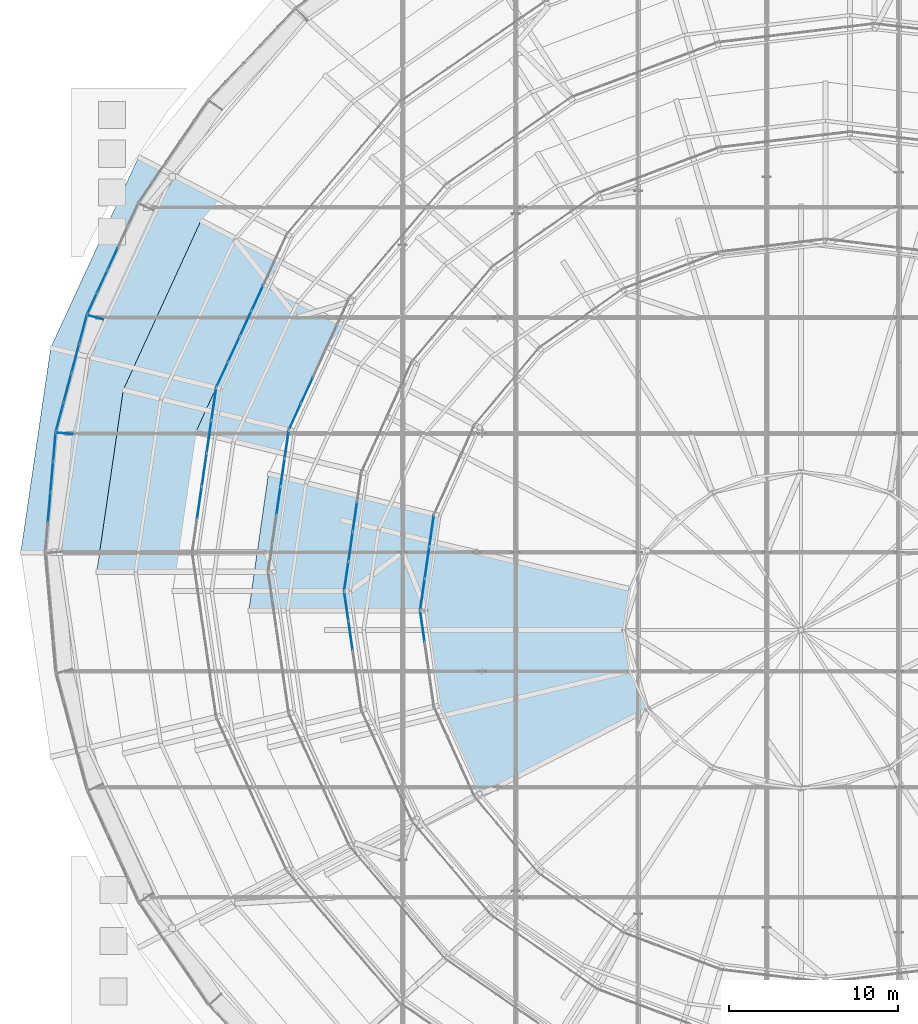
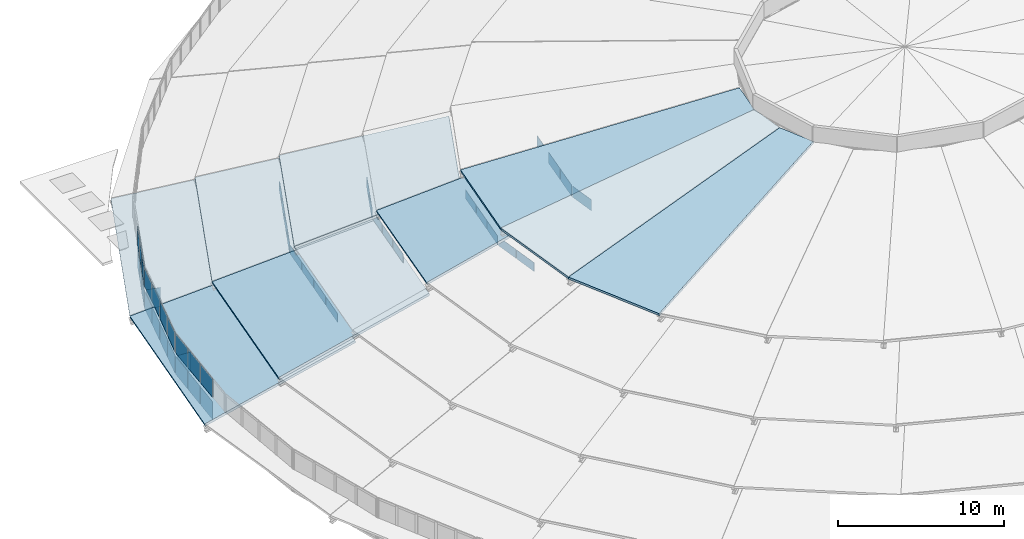
# One storey, part 147 of 173: 44 plates, 9 slabs, 16 elements without a shape of their own.
"""IFC4 building model written with IfcOpenShell, lengths in metres."""

from ifc_helpers import new_model, si_unit, direction, frame, origin, origin_2d, place, context, subcontext, project, spatial, polyline, rectangle, outline, extrude, material, layer, layer_set, type_object, element, aggregate, save


model = new_model("IFC4")

# Units and contexts
model_context = context("Model", 3, precision=1e-05, world=origin(), true_north=direction((0.0, 1.0)))
body_context = subcontext(model_context, "Body", "Model", "MODEL_VIEW")
ifc_project = project(units=[si_unit("LENGTHUNIT", "METRE"), si_unit("AREAUNIT", "SQUARE_METRE"), si_unit("VOLUMEUNIT", "CUBIC_METRE"), si_unit("PLANEANGLEUNIT", "RADIAN"), si_unit("MASSUNIT", "GRAM", prefix="KILO")], contexts=[model_context])

# Site, building, storey
site_placement = place(None, origin())
site = spatial("IfcSite", under=ifc_project, at=site_placement, CompositionType="ELEMENT")
building_placement = place(site_placement, origin())
building = spatial("IfcBuilding", under=site, at=building_placement, Name="Glasvene Arena", CompositionType="ELEMENT")
storey_placement = place(building_placement, frame((0.0, 0.0, 28.800048828125)))
storey = spatial("IfcBuildingStorey", under=building, at=storey_placement, Name="RF", CompositionType="ELEMENT", Elevation=28.800048828125)

# Curtain wall, plates
ifc_material_1 = material(Name="Low-emissivity laminated double glazing", Category="glass")
curtain_wall_type_1 = type_object("IfcCurtainWallType", Name="CW-PET1-1001x75", PredefinedType="USERDEFINED", material=ifc_material_1)
curtain_wall_1_placement = place(storey_placement, frame((55.7568359375, 91.85009765625, 0.0)))
curtain_wall_1 = element("IfcCurtainWall", 1, at=curtain_wall_1_placement, inside=storey, type_object=curtain_wall_type_1, Name="Petal ring 1-2 clerestory curtain wall 11", ObjectType="CURTAIN WALL", PredefinedType="USERDEFINED")
ifc_layer_1 = layer(ifc_material_1, 0.028076171875)
ifc_layer_set_1 = layer_set([ifc_layer_1], Name="Low-emissivity laminated double glazing")
plate_type_1 = type_object("IfcPlateType", Name="CW-GLZ-28", PredefinedType="CURTAIN_PANEL", material=ifc_layer_set_1)
plate_1_placement = place(storey_placement, frame((54.014892578125, 88.0615234375, 2.6298828125), z_axis=(0.0, 0.0, 1.0), x_axis=(-0.41776127596, -0.908556831634, 0.0)))
plate_1 = element("IfcPlate", 2, at=plate_1_placement, type_object=plate_type_1, Name="CW-082 panel 3.1", PredefinedType="CURTAIN_PANEL", context=body_context, shape_type="SweptSolid", body=[
    extrude(rectangle(XDim=1.617919921875, YDim=0.028076171875, at=origin_2d()), origin(), (0.0, 0.0, 1.0), 0.64990234375),
])
plate_2_placement = place(storey_placement, frame((53.318115234375, 86.546142578125, 2.6298828125), z_axis=(0.0, 0.0, 1.0), x_axis=(-0.41776127596, -0.908556831634, 0.0)))
plate_2 = element("IfcPlate", 3, at=plate_2_placement, type_object=plate_type_1, Name="CW-082 panel 4.1", PredefinedType="CURTAIN_PANEL", context=body_context, shape_type="SweptSolid", body=[
    extrude(rectangle(XDim=1.617919921875, YDim=0.028076171875, at=origin_2d()), origin(), (0.0, 0.0, 1.0), 0.64990234375),
])
plate_3_placement = place(storey_placement, frame((52.62109375, 85.030517578125, 2.6298828125), z_axis=(0.0, 0.0, 1.0), x_axis=(-0.41776127596, -0.908556831634, 0.0)))
plate_3 = element("IfcPlate", 4, at=plate_3_placement, type_object=plate_type_1, Name="CW-082 panel 5.1", PredefinedType="CURTAIN_PANEL", context=body_context, shape_type="SweptSolid", body=[
    extrude(rectangle(XDim=1.617919921875, YDim=0.028076171875, at=origin_2d()), origin(), (0.0, 0.0, 1.0), 0.64990234375),
])
plate_4_placement = place(storey_placement, frame((51.9296875, 83.526611328125, 2.6298828125), z_axis=(0.0, 0.0, 1.0), x_axis=(-0.41776127596, -0.908556831634, 0.0)))
plate_4 = element("IfcPlate", 5, at=plate_4_placement, type_object=plate_type_1, Name="CW-082 panel 6.1", PredefinedType="CURTAIN_PANEL", context=body_context, shape_type="SweptSolid", body=[
    extrude(rectangle(XDim=1.593017578125, YDim=0.028076171875, at=origin_2d()), origin(), (0.0, 0.0, 1.0), 0.64990234375),
])
aggregate(curtain_wall_1, [plate_1, plate_2, plate_3, plate_4])

curtain_wall_type_2 = type_object("IfcCurtainWallType", Name="CW-PET1-986x75", PredefinedType="USERDEFINED", material=ifc_material_1)
curtain_wall_2_placement = place(storey_placement, frame((51.575927734375, 82.757568359375, 0.0)))
curtain_wall_2 = element("IfcCurtainWall", 6, at=curtain_wall_2_placement, inside=storey, type_object=curtain_wall_type_2, Name="Petal ring 1-2 clerestory curtain wall 12", ObjectType="CURTAIN WALL", PredefinedType="USERDEFINED")
plate_5_placement = place(storey_placement, frame((51.431640625, 81.769287109375, 2.6298828125), z_axis=(0.0, 0.0, 1.0), x_axis=(-0.144607878249, -0.989489040641, 0.0)))
plate_5 = element("IfcPlate", 7, at=plate_5_placement, type_object=plate_type_1, Name="CW-081 panel 1.1", PredefinedType="CURTAIN_PANEL", context=body_context, shape_type="SweptSolid", body=[
    extrude(rectangle(XDim=1.897216796875, YDim=0.028076171875, at=origin_2d()), origin(), (0.0, 0.0, 1.0), 0.64990234375),
])
plate_6_placement = place(storey_placement, frame((51.148193359375, 79.830322265625, 2.6298828125), z_axis=(0.0, 0.0, 1.0), x_axis=(-0.144607878249, -0.989489040641, 0.0)))
plate_6 = element("IfcPlate", 8, at=plate_6_placement, type_object=plate_type_1, Name="CW-081 panel 2.1", PredefinedType="CURTAIN_PANEL", context=body_context, shape_type="SweptSolid", body=[
    extrude(rectangle(XDim=1.922119140625, YDim=0.028076171875, at=origin_2d()), origin(), (0.0, 0.0, 1.0), 0.64990234375),
])
plate_7_placement = place(storey_placement, frame((50.863037109375, 77.878662109375, 2.6298828125), z_axis=(0.0, 0.0, 1.0), x_axis=(-0.144607878249, -0.989489040641, 0.0)))
plate_7 = element("IfcPlate", 9, at=plate_7_placement, type_object=plate_type_1, Name="CW-081 panel 3.1", PredefinedType="CURTAIN_PANEL", context=body_context, shape_type="SweptSolid", body=[
    extrude(rectangle(XDim=1.922119140625, YDim=0.028076171875, at=origin_2d()), origin(), (0.0, 0.0, 1.0), 0.64990234375),
])
plate_8_placement = place(storey_placement, frame((50.577880859375, 75.92724609375, 2.6298828125), z_axis=(0.0, 0.0, 1.0), x_axis=(-0.144607878249, -0.989489040641, 0.0)))
plate_8 = element("IfcPlate", 10, at=plate_8_placement, type_object=plate_type_1, Name="CW-081 panel 4.1", PredefinedType="CURTAIN_PANEL", context=body_context, shape_type="SweptSolid", body=[
    extrude(rectangle(XDim=1.922119140625, YDim=0.028076171875, at=origin_2d()), origin(), (0.0, 0.0, 1.0), 0.64990234375),
])
aggregate(curtain_wall_2, [plate_5, plate_6, plate_7, plate_8])

curtain_wall_type_3 = type_object("IfcCurtainWallType", Name="CW-PET2-861x75", PredefinedType="USERDEFINED", material=ifc_material_1)
curtain_wall_3_placement = place(storey_placement, frame((59.459716796875, 88.074951171875, 0.0)))
curtain_wall_3 = element("IfcCurtainWall", 11, at=curtain_wall_3_placement, inside=storey, type_object=curtain_wall_type_3, Name="Petal ring 2-3 clerestory curtain wall 11", ObjectType="CURTAIN WALL", PredefinedType="USERDEFINED")
plate_9_placement = place(storey_placement, frame((56.94921875, 82.5966796875, 5.22998046875), z_axis=(0.0, 0.0, 1.0), x_axis=(-0.416591913749, -0.909093602111, 0.0)))
plate_9 = element("IfcPlate", 12, at=plate_9_placement, type_object=plate_type_1, Name="CW-088 panel 4.1", PredefinedType="CURTAIN_PANEL", context=body_context, shape_type="SweptSolid", body=[
    extrude(rectangle(XDim=1.671875, YDim=0.028076171875, at=origin_2d()), origin(), (0.0, 0.0, 1.0), 0.64990234375),
])
plate_10_placement = place(storey_placement, frame((56.237060546875, 81.042724609375, 5.22998046875), z_axis=(0.0, 0.0, 1.0), x_axis=(-0.416591913749, -0.909093602111, 0.0)))
plate_10 = element("IfcPlate", 13, at=plate_10_placement, type_object=plate_type_1, Name="CW-088 panel 5.1", PredefinedType="CURTAIN_PANEL", context=body_context, shape_type="SweptSolid", body=[
    extrude(rectangle(XDim=1.646728515625, YDim=0.028076171875, at=origin_2d()), origin(), (0.0, 0.0, 1.0), 0.64990234375),
])
aggregate(curtain_wall_3, [plate_9, plate_10])

curtain_wall_type_4 = type_object("IfcCurtainWallType", Name="CW-PET2-849x75", PredefinedType="USERDEFINED", material=ifc_material_1)
curtain_wall_4_placement = place(storey_placement, frame((55.873291015625, 80.248779296875, 0.0)))
curtain_wall_4 = element("IfcCurtainWall", 14, at=curtain_wall_4_placement, inside=storey, type_object=curtain_wall_type_4, Name="Petal ring 2-3 clerestory curtain wall 12", ObjectType="CURTAIN WALL", PredefinedType="USERDEFINED")
plate_11_placement = place(storey_placement, frame((55.749267578125, 79.396484375, 5.22998046875), z_axis=(0.0, 0.0, 1.0), x_axis=(-0.144132635268, -0.98955837799, 0.0)))
plate_11 = element("IfcPlate", 15, at=plate_11_placement, type_object=plate_type_1, Name="CW-087 panel 1.1", PredefinedType="CURTAIN_PANEL", context=body_context, shape_type="SweptSolid", body=[
    extrude(rectangle(XDim=1.62255859375, YDim=0.028076171875, at=origin_2d()), origin(), (0.0, 0.0, 1.0), 0.64990234375),
])
plate_12_placement = place(storey_placement, frame((55.50634765625, 77.72900390625, 5.22998046875), z_axis=(0.0, 0.0, 1.0), x_axis=(-0.144132635268, -0.98955837799, 0.0)))
plate_12 = element("IfcPlate", 16, at=plate_12_placement, type_object=plate_type_1, Name="CW-087 panel 2.1", PredefinedType="CURTAIN_PANEL", context=body_context, shape_type="SweptSolid", body=[
    extrude(rectangle(XDim=1.6474609375, YDim=0.028076171875, at=origin_2d()), origin(), (0.0, 0.0, 1.0), 0.64990234375),
])
plate_13_placement = place(storey_placement, frame((55.26171875, 76.04931640625, 5.22998046875), z_axis=(0.0, 0.0, 1.0), x_axis=(-0.144132635268, -0.98955837799, 0.0)))
plate_13 = element("IfcPlate", 17, at=plate_13_placement, type_object=plate_type_1, Name="CW-087 panel 3.1", PredefinedType="CURTAIN_PANEL", context=body_context, shape_type="SweptSolid", body=[
    extrude(rectangle(XDim=1.6474609375, YDim=0.028076171875, at=origin_2d()), origin(), (0.0, 0.0, 1.0), 0.64990234375),
])
aggregate(curtain_wall_4, [plate_11, plate_12, plate_13])

curtain_wall_type_5 = type_object("IfcCurtainWallType", Name="CW-PET3-711x75", PredefinedType="USERDEFINED", material=ifc_material_1)
curtain_wall_5_placement = place(storey_placement, frame((60.17041015625, 77.739990234375, 0.0)))
curtain_wall_5 = element("IfcCurtainWall", 18, at=curtain_wall_5_placement, inside=storey, type_object=curtain_wall_type_5, Name="Petal ring 3-4 clerestory curtain wall 12", ObjectType="CURTAIN WALL", PredefinedType="USERDEFINED")
plate_14_placement = place(storey_placement, frame((59.787841796875, 75.099853515625, 7.8798828125), z_axis=(0.0, 0.0, 1.0), x_axis=(-0.143460001758, -0.989656115979, 0.0)))
plate_14 = element("IfcPlate", 19, at=plate_14_placement, type_object=plate_type_1, Name="CW-093 panel 2.1", PredefinedType="CURTAIN_PANEL", context=body_context, shape_type="SweptSolid", body=[
    extrude(rectangle(XDim=1.728271484375, YDim=0.028076171875, at=origin_2d()), origin(), (0.0, 0.0, 1.0), 0.64990234375),
])
plate_15_placement = place(storey_placement, frame((59.53271484375, 73.33984375, 7.8798828125), z_axis=(0.0, 0.0, 1.0), x_axis=(-0.143460001758, -0.989656115979, 0.0)))
plate_15 = element("IfcPlate", 20, at=plate_15_placement, type_object=plate_type_1, Name="CW-093 panel 3.1", PredefinedType="CURTAIN_PANEL", context=body_context, shape_type="SweptSolid", body=[
    extrude(rectangle(XDim=1.728271484375, YDim=0.028076171875, at=origin_2d()), origin(), (0.0, 0.0, 1.0), 0.64990234375),
])
plate_16_placement = place(storey_placement, frame((59.279296875, 71.59228515625, 7.8798828125), z_axis=(0.0, 0.0, 1.0), x_axis=(-0.143460001758, -0.989656115979, 0.0)))
plate_16 = element("IfcPlate", 21, at=plate_16_placement, type_object=plate_type_1, Name="CW-093 panel 4.1", PredefinedType="CURTAIN_PANEL", context=body_context, shape_type="SweptSolid", body=[
    extrude(rectangle(XDim=1.703369140625, YDim=0.028076171875, at=origin_2d()), origin(), (0.0, 0.0, 1.0), 0.64990234375),
])
aggregate(curtain_wall_5, [plate_14, plate_15, plate_16])

curtain_wall_6_placement = place(storey_placement, frame((59.14990234375, 70.699951171875, 0.0)))
curtain_wall_6 = element("IfcCurtainWall", 22, at=curtain_wall_6_placement, inside=storey, type_object=curtain_wall_type_5, Name="Petal ring 3-4 clerestory curtain wall 13", ObjectType="CURTAIN WALL", PredefinedType="USERDEFINED")
plate_17_placement = place(storey_placement, frame((59.279296875, 69.8076171875, 7.8798828125), z_axis=(0.0, 0.0, 1.0), x_axis=(0.143460001758, -0.989656115979, 0.0)))
plate_17 = element("IfcPlate", 23, at=plate_17_placement, type_object=plate_type_1, Name="CW-093 panel 1.1", PredefinedType="CURTAIN_PANEL", context=body_context, shape_type="SweptSolid", body=[
    extrude(rectangle(XDim=1.703369140625, YDim=0.028076171875, at=origin_2d()), origin(), (0.0, 0.0, 1.0), 0.64990234375),
])
plate_18_placement = place(storey_placement, frame((59.53271484375, 68.06005859375, 7.8798828125), z_axis=(0.0, 0.0, 1.0), x_axis=(0.143460001758, -0.989656115979, 0.0)))
plate_18 = element("IfcPlate", 24, at=plate_18_placement, type_object=plate_type_1, Name="CW-093 panel 2.1", PredefinedType="CURTAIN_PANEL", context=body_context, shape_type="SweptSolid", body=[
    extrude(rectangle(XDim=1.728271484375, YDim=0.028076171875, at=origin_2d()), origin(), (0.0, 0.0, 1.0), 0.64990234375),
])
aggregate(curtain_wall_6, [plate_17, plate_18])

curtain_wall_type_6 = type_object("IfcCurtainWallType", Name="CW-PET4-575x92", PredefinedType="USERDEFINED", material=ifc_material_1)
curtain_wall_7_placement = place(storey_placement, frame((64.4677734375, 75.243896484375, 0.0)))
curtain_wall_7 = element("IfcCurtainWall", 25, at=curtain_wall_7_placement, inside=storey, type_object=curtain_wall_type_6, Name="Petal ring 4-5 clerestory curtain wall 12", ObjectType="CURTAIN WALL", PredefinedType="USERDEFINED")
plate_19_placement = place(storey_placement, frame((64.329833984375, 74.28271484375, 10.580078125), z_axis=(0.0, 0.0, 1.0), x_axis=(-0.142166045165, -0.989842823686, 0.0)))
plate_19 = element("IfcPlate", 26, at=plate_19_placement, type_object=plate_type_1, Name="CW-099 panel 1.1", PredefinedType="CURTAIN_PANEL", context=body_context, shape_type="SweptSolid", body=[
    extrude(rectangle(XDim=1.842529296875, YDim=0.028076171875, at=origin_2d()), origin(), (0.0, 0.0, 1.0), 0.81591796875),
])
plate_20_placement = place(storey_placement, frame((64.058837890625, 72.39697265625, 10.580078125), z_axis=(0.0, 0.0, 1.0), x_axis=(-0.142166045165, -0.989842823686, 0.0)))
plate_20 = element("IfcPlate", 27, at=plate_20_placement, type_object=plate_type_1, Name="CW-099 panel 2.1", PredefinedType="CURTAIN_PANEL", context=body_context, shape_type="SweptSolid", body=[
    extrude(rectangle(XDim=1.867431640625, YDim=0.028076171875, at=origin_2d()), origin(), (0.0, 0.0, 1.0), 0.81591796875),
])
plate_21_placement = place(storey_placement, frame((63.7880859375, 70.511474609375, 10.580078125), z_axis=(0.0, 0.0, 1.0), x_axis=(-0.142166045165, -0.989842823686, 0.0)))
plate_21 = element("IfcPlate", 28, at=plate_21_placement, type_object=plate_type_1, Name="CW-099 panel 3.1", PredefinedType="CURTAIN_PANEL", context=body_context, shape_type="SweptSolid", body=[
    extrude(rectangle(XDim=1.842529296875, YDim=0.028076171875, at=origin_2d()), origin(), (0.0, 0.0, 1.0), 0.81591796875),
])
aggregate(curtain_wall_7, [plate_19, plate_20, plate_21])

# Curtain wall, plate
curtain_wall_8_placement = place(storey_placement, frame((63.64990234375, 69.550048828125, 0.0)))
curtain_wall_8 = element("IfcCurtainWall", 29, at=curtain_wall_8_placement, inside=storey, type_object=curtain_wall_type_6, Name="Petal ring 4-5 clerestory curtain wall 13", ObjectType="CURTAIN WALL", PredefinedType="USERDEFINED")
plate_22_placement = place(storey_placement, frame((63.7880859375, 68.588623046875, 10.580078125), z_axis=(0.0, 0.0, 1.0), x_axis=(0.142166045165, -0.989842823686, 0.0)))
plate_22 = element("IfcPlate", 30, at=plate_22_placement, type_object=plate_type_1, Name="CW-099 panel 1.1", PredefinedType="CURTAIN_PANEL", context=body_context, shape_type="SweptSolid", body=[
    extrude(rectangle(XDim=1.842529296875, YDim=0.028076171875, at=origin_2d()), origin(), (0.0, 0.0, 1.0), 0.81591796875),
])
aggregate(curtain_wall_8, [plate_22])

# Curtain wall, plates
curtain_wall_type_7 = type_object("IfcCurtainWallType", Name="CW-DRUM-727x310", PredefinedType="USERDEFINED", material=ifc_material_1)
curtain_wall_9_placement = place(storey_placement, frame((46.959716796875, 93.67919921875, 0.0)))
curtain_wall_9 = element("IfcCurtainWall", 31, at=curtain_wall_9_placement, inside=storey, type_object=curtain_wall_type_7, Name="Crown compression-ring fascia curtain wall 18", ObjectType="CURTAIN WALL", PredefinedType="USERDEFINED")
ifc_material_2 = material(Name="Insulated shadow-box spandrel panel")
ifc_layer_2 = layer(ifc_material_2, 0.02392578125)
ifc_layer_set_2 = layer_set([ifc_layer_2], Name="Insulated shadow-box spandrel panel")
plate_type_2 = type_object("IfcPlateType", Name="CW-SPN-24", PredefinedType="CURTAIN_PANEL", material=ifc_layer_set_2)
plate_23_placement = place(storey_placement, frame((45.44189453125, 90.37744140625, -1.330078125), z_axis=(0.0, 0.0, 1.0), x_axis=(-0.417660752738, -0.908603046232, 0.0)))
plate_23 = element("IfcPlate", 32, at=plate_23_placement, type_object=plate_type_2, Name="CW-073 panel 3.1", PredefinedType="CURTAIN_PANEL", context=body_context, shape_type="SweptSolid", body=[
    extrude(rectangle(XDim=1.403564453125, YDim=0.02392578125, at=origin_2d()), origin(), (0.0, 0.0, 1.0), 1.324951171875),
])
plate_24_placement = place(storey_placement, frame((45.44189453125, 90.37744140625, 0.044921875), z_axis=(0.0, 0.0, 1.0), x_axis=(-0.417660752738, -0.908603046232, 0.0)))
plate_24 = element("IfcPlate", 33, at=plate_24_placement, type_object=plate_type_2, Name="CW-073 panel 3.2", PredefinedType="CURTAIN_PANEL", context=body_context, shape_type="SweptSolid", body=[
    extrude(rectangle(XDim=1.403564453125, YDim=0.02392578125, at=origin_2d()), origin(), (0.0, 0.0, 1.0), 1.625),
])
plate_25_placement = place(storey_placement, frame((44.834716796875, 89.056884765625, -1.330078125), z_axis=(0.0, 0.0, 1.0), x_axis=(-0.417660752738, -0.908603046232, 0.0)))
plate_25 = element("IfcPlate", 34, at=plate_25_placement, type_object=plate_type_2, Name="CW-073 panel 4.1", PredefinedType="CURTAIN_PANEL", context=body_context, shape_type="SweptSolid", body=[
    extrude(rectangle(XDim=1.403564453125, YDim=0.02392578125, at=origin_2d()), origin(), (0.0, 0.0, 1.0), 1.324951171875),
])
plate_26_placement = place(storey_placement, frame((44.834716796875, 89.056884765625, 0.044921875), z_axis=(0.0, 0.0, 1.0), x_axis=(-0.417660752738, -0.908603046232, 0.0)))
plate_26 = element("IfcPlate", 35, at=plate_26_placement, type_object=plate_type_2, Name="CW-073 panel 4.2", PredefinedType="CURTAIN_PANEL", context=body_context, shape_type="SweptSolid", body=[
    extrude(rectangle(XDim=1.403564453125, YDim=0.02392578125, at=origin_2d()), origin(), (0.0, 0.0, 1.0), 1.625),
])
plate_27_placement = place(storey_placement, frame((44.23291015625, 87.747314453125, -1.330078125), z_axis=(0.0, 0.0, 1.0), x_axis=(-0.417660752738, -0.908603046232, 0.0)))
plate_27 = element("IfcPlate", 36, at=plate_27_placement, type_object=plate_type_2, Name="CW-073 panel 5.1", PredefinedType="CURTAIN_PANEL", context=body_context, shape_type="SweptSolid", body=[
    extrude(rectangle(XDim=1.378662109375, YDim=0.02392578125, at=origin_2d()), origin(), (0.0, 0.0, 1.0), 1.324951171875),
])
plate_28_placement = place(storey_placement, frame((44.23291015625, 87.747314453125, 0.044921875), z_axis=(0.0, 0.0, 1.0), x_axis=(-0.417660752738, -0.908603046232, 0.0)))
plate_28 = element("IfcPlate", 37, at=plate_28_placement, type_object=plate_type_2, Name="CW-073 panel 5.2", PredefinedType="CURTAIN_PANEL", context=body_context, shape_type="SweptSolid", body=[
    extrude(rectangle(XDim=1.378662109375, YDim=0.02392578125, at=origin_2d()), origin(), (0.0, 0.0, 1.0), 1.625),
])
aggregate(curtain_wall_9, [plate_23, plate_24, plate_25, plate_26, plate_27, plate_28])

curtain_wall_type_8 = type_object("IfcCurtainWallType", Name="CW-DRUM-719x310", PredefinedType="USERDEFINED", material=ifc_material_1)
curtain_wall_10_placement = place(storey_placement, frame((43.924072265625, 87.07568359375, 0.0)))
curtain_wall_10 = element("IfcCurtainWall", 38, at=curtain_wall_10_placement, inside=storey, type_object=curtain_wall_type_8, Name="Crown compression-ring fascia curtain wall 19", ObjectType="CURTAIN WALL", PredefinedType="USERDEFINED")
plate_29_placement = place(storey_placement, frame((43.689453125, 86.19482421875, -1.330078125), z_axis=(0.0, 0.0, 1.0), x_axis=(-0.257447172039, -0.966292374807, 0.0)))
plate_29 = element("IfcPlate", 39, at=plate_29_placement, type_object=plate_type_2, Name="CW-072 panel 1.1", PredefinedType="CURTAIN_PANEL", context=body_context, shape_type="SweptSolid", body=[
    extrude(rectangle(XDim=1.72314453125, YDim=0.02392578125, at=origin_2d()), origin(), (0.0, 0.0, 1.0), 1.324951171875),
])
plate_30_placement = place(storey_placement, frame((43.689453125, 86.19482421875, 0.044921875), z_axis=(0.0, 0.0, 1.0), x_axis=(-0.257447172039, -0.966292374807, 0.0)))
plate_30 = element("IfcPlate", 40, at=plate_30_placement, type_object=plate_type_2, Name="CW-072 panel 1.2", PredefinedType="CURTAIN_PANEL", context=body_context, shape_type="SweptSolid", body=[
    extrude(rectangle(XDim=1.72314453125, YDim=0.02392578125, at=origin_2d()), origin(), (0.0, 0.0, 1.0), 1.625),
])
plate_31_placement = place(storey_placement, frame((43.229736328125, 84.469482421875, -1.330078125), z_axis=(0.0, 0.0, 1.0), x_axis=(-0.257447172039, -0.966292374807, 0.0)))
plate_31 = element("IfcPlate", 41, at=plate_31_placement, type_object=plate_type_2, Name="CW-072 panel 2.1", PredefinedType="CURTAIN_PANEL", context=body_context, shape_type="SweptSolid", body=[
    extrude(rectangle(XDim=1.748046875, YDim=0.02392578125, at=origin_2d()), origin(), (0.0, 0.0, 1.0), 1.324951171875),
])
plate_32_placement = place(storey_placement, frame((43.229736328125, 84.469482421875, 0.044921875), z_axis=(0.0, 0.0, 1.0), x_axis=(-0.257447172039, -0.966292374807, 0.0)))
plate_32 = element("IfcPlate", 42, at=plate_32_placement, type_object=plate_type_2, Name="CW-072 panel 2.2", PredefinedType="CURTAIN_PANEL", context=body_context, shape_type="SweptSolid", body=[
    extrude(rectangle(XDim=1.748046875, YDim=0.02392578125, at=origin_2d()), origin(), (0.0, 0.0, 1.0), 1.625),
])
plate_33_placement = place(storey_placement, frame((42.766845703125, 82.73193359375, -1.330078125), z_axis=(0.0, 0.0, 1.0), x_axis=(-0.257447172039, -0.966292374807, 0.0)))
plate_33 = element("IfcPlate", 43, at=plate_33_placement, type_object=plate_type_2, Name="CW-072 panel 3.1", PredefinedType="CURTAIN_PANEL", context=body_context, shape_type="SweptSolid", body=[
    extrude(rectangle(XDim=1.748046875, YDim=0.02392578125, at=origin_2d()), origin(), (0.0, 0.0, 1.0), 1.324951171875),
])
plate_34_placement = place(storey_placement, frame((42.766845703125, 82.73193359375, 0.044921875), z_axis=(0.0, 0.0, 1.0), x_axis=(-0.257447172039, -0.966292374807, 0.0)))
plate_34 = element("IfcPlate", 44, at=plate_34_placement, type_object=plate_type_2, Name="CW-072 panel 3.2", PredefinedType="CURTAIN_PANEL", context=body_context, shape_type="SweptSolid", body=[
    extrude(rectangle(XDim=1.748046875, YDim=0.02392578125, at=origin_2d()), origin(), (0.0, 0.0, 1.0), 1.625),
])
plate_35_placement = place(storey_placement, frame((42.30712890625, 81.00634765625, -1.330078125), z_axis=(0.0, 0.0, 1.0), x_axis=(-0.257447172039, -0.966292374807, 0.0)))
plate_35 = element("IfcPlate", 45, at=plate_35_placement, type_object=plate_type_2, Name="CW-072 panel 4.1", PredefinedType="CURTAIN_PANEL", context=body_context, shape_type="SweptSolid", body=[
    extrude(rectangle(XDim=1.72314453125, YDim=0.02392578125, at=origin_2d()), origin(), (0.0, 0.0, 1.0), 1.324951171875),
])
plate_36_placement = place(storey_placement, frame((42.30712890625, 81.00634765625, 0.044921875), z_axis=(0.0, 0.0, 1.0), x_axis=(-0.257447172039, -0.966292374807, 0.0)))
plate_36 = element("IfcPlate", 46, at=plate_36_placement, type_object=plate_type_2, Name="CW-072 panel 4.2", PredefinedType="CURTAIN_PANEL", context=body_context, shape_type="SweptSolid", body=[
    extrude(rectangle(XDim=1.72314453125, YDim=0.02392578125, at=origin_2d()), origin(), (0.0, 0.0, 1.0), 1.625),
])
aggregate(curtain_wall_10, [plate_29, plate_30, plate_31, plate_32, plate_33, plate_34, plate_35, plate_36])

curtain_wall_type_9 = type_object("IfcCurtainWallType", Name="CW-DRUM-715x310", PredefinedType="USERDEFINED", material=ifc_material_1)
curtain_wall_11_placement = place(storey_placement, frame((42.072509765625, 80.12548828125, 0.0)))
curtain_wall_11 = element("IfcCurtainWall", 47, at=curtain_wall_11_placement, inside=storey, type_object=curtain_wall_type_9, Name="Crown compression-ring fascia curtain wall 20", ObjectType="CURTAIN WALL", PredefinedType="USERDEFINED")
plate_37_placement = place(storey_placement, frame((41.993408203125, 79.222412109375, -1.330078125), z_axis=(0.0, 0.0, 1.0), x_axis=(-0.0870157178, -0.996206938771, 0.0)))
plate_37 = element("IfcPlate", 48, at=plate_37_placement, type_object=plate_type_2, Name="CW-071 panel 1.1", PredefinedType="CURTAIN_PANEL", context=body_context, shape_type="SweptSolid", body=[
    extrude(rectangle(XDim=1.713134765625, YDim=0.02392578125, at=origin_2d()), origin(), (0.0, 0.0, 1.0), 1.324951171875),
])
plate_38_placement = place(storey_placement, frame((41.993408203125, 79.222412109375, 0.044921875), z_axis=(0.0, 0.0, 1.0), x_axis=(-0.0870157178, -0.996206938771, 0.0)))
plate_38 = element("IfcPlate", 49, at=plate_38_placement, type_object=plate_type_2, Name="CW-071 panel 1.2", PredefinedType="CURTAIN_PANEL", context=body_context, shape_type="SweptSolid", body=[
    extrude(rectangle(XDim=1.713134765625, YDim=0.02392578125, at=origin_2d()), origin(), (0.0, 0.0, 1.0), 1.625),
])
plate_39_placement = place(storey_placement, frame((41.839111328125, 77.45361328125, -1.330078125), z_axis=(0.0, 0.0, 1.0), x_axis=(-0.0870157178, -0.996206938771, 0.0)))
plate_39 = element("IfcPlate", 50, at=plate_39_placement, type_object=plate_type_2, Name="CW-071 panel 2.1", PredefinedType="CURTAIN_PANEL", context=body_context, shape_type="SweptSolid", body=[
    extrude(rectangle(XDim=1.73828125, YDim=0.02392578125, at=origin_2d()), origin(), (0.0, 0.0, 1.0), 1.324951171875),
])
plate_40_placement = place(storey_placement, frame((41.839111328125, 77.45361328125, 0.044921875), z_axis=(0.0, 0.0, 1.0), x_axis=(-0.0870157178, -0.996206938771, 0.0)))
plate_40 = element("IfcPlate", 51, at=plate_40_placement, type_object=plate_type_2, Name="CW-071 panel 2.2", PredefinedType="CURTAIN_PANEL", context=body_context, shape_type="SweptSolid", body=[
    extrude(rectangle(XDim=1.73828125, YDim=0.02392578125, at=origin_2d()), origin(), (0.0, 0.0, 1.0), 1.625),
])
plate_41_placement = place(storey_placement, frame((41.683349609375, 75.672119140625, -1.330078125), z_axis=(0.0, 0.0, 1.0), x_axis=(-0.0870157178, -0.996206938771, 0.0)))
plate_41 = element("IfcPlate", 52, at=plate_41_placement, type_object=plate_type_2, Name="CW-071 panel 3.1", PredefinedType="CURTAIN_PANEL", context=body_context, shape_type="SweptSolid", body=[
    extrude(rectangle(XDim=1.73828125, YDim=0.02392578125, at=origin_2d()), origin(), (0.0, 0.0, 1.0), 1.324951171875),
])
plate_42_placement = place(storey_placement, frame((41.683349609375, 75.672119140625, 0.044921875), z_axis=(0.0, 0.0, 1.0), x_axis=(-0.0870157178, -0.996206938771, 0.0)))
plate_42 = element("IfcPlate", 53, at=plate_42_placement, type_object=plate_type_2, Name="CW-071 panel 3.2", PredefinedType="CURTAIN_PANEL", context=body_context, shape_type="SweptSolid", body=[
    extrude(rectangle(XDim=1.73828125, YDim=0.02392578125, at=origin_2d()), origin(), (0.0, 0.0, 1.0), 1.625),
])
aggregate(curtain_wall_11, [plate_37, plate_38, plate_39, plate_40, plate_41, plate_42])

# Plates
ifc_material_3 = material(Name="Steel S355J2", Category="steel")
ifc_layer_3 = layer(ifc_material_3, 0.035888671875)
ifc_layer_set_3 = layer_set([ifc_layer_3], Name="Steel S355J2")
plate_type_3 = type_object("IfcPlateType", Name="PL-CAP-36", PredefinedType="SHEET", material=ifc_layer_set_3)
for number, where, z_axis, x_axis, name in (
    (54, (44.447265625, 86.90576171875, -1.409912109375), (0.0, 0.0, 1.0), (-0.257807388214, -0.966196331282, 0.0), "Ring beam node diaphragm cap plate ND-19"),
    (55, (42.615478515625, 80.03955078125, -1.409912109375), (0.0, 0.0, 1.0), (-0.087155742748, -0.996194698092, 0.0), "Ring beam node diaphragm cap plate ND-20"),
):
    element("IfcPlate", number, at=place(storey_placement, frame(where, z_axis=z_axis, x_axis=x_axis)), inside=storey, type_object=plate_type_3, Name=name, PredefinedType="SHEET", context=body_context, shape_type="SweptSolid", body=[
        extrude(rectangle(XDim=0.035888671875, YDim=0.919921875, at=origin_2d()), origin(), (0.0, 0.0, 1.0), 1.419921875),
    ])

# Roof, slabs
ifc_material_4 = material(Name="Smooth matte white insulated roof panel")
ifc_layer_4 = layer(ifc_material_4, 0.179931640625)
ifc_layer_set_4 = layer_set([ifc_layer_4], Name="Smooth matte white insulated roof panel")
roof_type = type_object("IfcRoofType", Name="RF-PETAL-ASSY", PredefinedType="PAVILION_ROOF", material=ifc_layer_set_4)
roof_1_placement = place(storey_placement, frame((92.0, 73.0, 0.0)))
roof_1 = element("IfcRoof", 56, at=roof_1_placement, inside=storey, type_object=roof_type, Name="Shifted white elliptical petal roof ring 1", PredefinedType="PAVILION_ROOF")
ifc_material_5 = material(Name="Precast concrete C50/60", Category="concrete")
ifc_layer_5 = layer(ifc_material_5, 0.179931640625)
ifc_layer_set_5 = layer_set([ifc_layer_5], Name="Precast concrete C50/60")
slab_type = type_object("IfcSlabType", Name="SL-PETAL-180", PredefinedType="ROOF", material=ifc_layer_set_5)
slab_1_placement = place(storey_placement, frame((46.966796875, 96.39990234375, 0.0), z_axis=(-0.21553515257, 0.099199737003, 0.971444290829), x_axis=(-0.418088722447, -0.908406197778, 8.64003e-07)))
slab_1 = element("IfcSlab", 57, at=slab_1_placement, type_object=slab_type, Name="White petal roof slab ring 1 bay 11", PredefinedType="ROOF", context=body_context, shape_type="SweptSolid", body=[
    extrude(outline(polyline([(0.0, 0.0), (12.425177532204613, 0.0), (10.406666894711167, 10.536581165941051), (0.4902982023239435, 10.53666252199784), (0.0, 0.0)])), origin(), (0.0, 0.0, -1.0), 0.179931640625),
])
slab_2_placement = place(storey_placement, frame((41.77197265625, 85.11279296875, 0.0), z_axis=(-0.231489028727, 0.033863152392, 0.972247970679), x_axis=(-0.144748418903, -0.989468491274, -1.18138e-06)))
slab_2 = element("IfcSlab", 58, at=slab_2_placement, type_object=slab_type, Name="White petal roof slab ring 1 bay 12", PredefinedType="ROOF", context=body_context, shape_type="SweptSolid", body=[
    extrude(outline(polyline([(0.0, 0.0), (12.241717224232712, -4.440892098500626e-16), (10.721855872299718, 10.685973117628508), (0.9519883862732836, 10.685861966750252), (0.0, 0.0)])), origin(), (0.0, 0.0, -1.0), 0.179931640625),
])
aggregate(roof_1, [slab_1, slab_2])

roof_2_placement = place(storey_placement, frame((90.550048828125, 71.85009765625, 2.550048828125)))
roof_2 = element("IfcRoof", 59, at=roof_2_placement, inside=storey, type_object=roof_type, Name="Shifted white elliptical petal roof ring 2", PredefinedType="PAVILION_ROOF")
slab_3_placement = place(storey_placement, frame((50.66943359375, 92.64990234375, 2.550048828125), z_axis=(-0.219588004604, 0.100687221556, 0.970383012861), x_axis=(-0.416797349798, -0.908999433003, 9.57291e-07)))
slab_3 = element("IfcSlab", 60, at=slab_3_placement, type_object=slab_type, Name="White petal roof slab ring 2 bay 11", PredefinedType="ROOF", context=body_context, shape_type="SweptSolid", body=[
    extrude(outline(polyline([(0.0, 0.0), (11.037364297245405, 0.0), (9.041835193464568, 10.555034937829078), (0.5210446515838553, 10.555112442180508), (0.0, 0.0)])), origin(), (0.0, 0.0, -1.0), 0.179931640625),
])
slab_4_placement = place(storey_placement, frame((46.069091796875, 82.616943359375, 2.550048828125), z_axis=(-0.235842315387, 0.034368646989, 0.971183401), x_axis=(-0.144209957995, -0.989547112579, -1.456989e-06)))
slab_4 = element("IfcSlab", 61, at=slab_4_placement, type_object=slab_type, Name="White petal roof slab ring 2 bay 12", PredefinedType="ROOF", context=body_context, shape_type="SweptSolid", body=[
    extrude(outline(polyline([(0.0, 0.0), (10.880579739225997, -2.220446049250313e-16), (9.366371465238103, 10.698536219834804), (0.9668214043599235, 10.698418355754857), (0.0, 0.0)])), origin(), (0.0, 0.0, -1.0), 0.179931640625),
])
aggregate(roof_2, [slab_3, slab_4])

# Roof, slab
roof_3_placement = place(storey_placement, frame((89.10009765625, 70.699951171875, 5.14990234375)))
roof_3 = element("IfcRoof", 62, at=roof_3_placement, inside=storey, type_object=roof_type, Name="Shifted white elliptical petal roof ring 3", PredefinedType="PAVILION_ROOF")
slab_5_placement = place(storey_placement, frame((54.372314453125, 88.89990234375, 5.14990234375), z_axis=(-0.223669485577, 0.102066805302, 0.969306106695), x_axis=(-0.415133883873, -0.909760330223, 3.660602e-06)))
slab_5 = element("IfcSlab", 63, at=slab_5_placement, type_object=slab_type, Name="White petal roof slab ring 3 bay 11", PredefinedType="ROOF", context=body_context, shape_type="SweptSolid", body=[
    extrude(outline(polyline([(0.0, 0.0), (9.64957976580567, -4.440892098500626e-16), (7.683458075895944, 10.57553528396468), (0.560341576760755, 10.575785015186677), (0.0, 0.0)])), origin(), (0.0, 0.0, -1.0), 0.179931640625),
])
aggregate(roof_3, [slab_5])

roof_4_placement = place(storey_placement, frame((87.64990234375, 69.550048828125, 7.800048828125)))
roof_4 = element("IfcRoof", 64, at=roof_4_placement, inside=storey, type_object=roof_type, Name="Shifted white elliptical petal roof ring 4", PredefinedType="PAVILION_ROOF")
slab_6_placement = place(storey_placement, frame((54.66357421875, 77.65087890625, 7.800048828125), z_axis=(-0.244547089786, 0.035127517331, 0.969000917648), x_axis=(-0.142177646121, -0.989841157429, 1.581857e-06)))
slab_6 = element("IfcSlab", 65, at=slab_6_placement, type_object=slab_type, Name="White petal roof slab ring 4 bay 12", PredefinedType="ROOF", context=body_context, shape_type="SweptSolid", body=[
    extrude(outline(polyline([(0.0, 0.0), (8.183969264178348, 0.0), (6.691108171679716, 10.725826224106797), (1.0234108165983047, 10.725914913547841), (0.0, 0.0)])), origin(), (0.0, 0.0, -1.0), 0.179931640625),
])
aggregate(roof_4, [slab_6])

# Roof, slabs
roof_5_placement = place(storey_placement, frame((86.199951171875, 68.39990234375, 10.949951171875)))
roof_5 = element("IfcRoof", 66, at=roof_5_placement, inside=storey, type_object=roof_type, Name="Shifted white elliptical petal roof ring 5", PredefinedType="PAVILION_ROOF")
slab_7_placement = place(storey_placement, frame((58.9609375, 74.922119140625, 10.949951171875), z_axis=(-0.14256670325, 0.021006064178, 0.989562267062), x_axis=(-0.145759633865, -0.989320033727, 1.262835e-06)))
slab_7 = element("IfcSlab", 67, at=slab_7_placement, type_object=slab_type, Name="White petal roof slab ring 5 bay 12", PredefinedType="ROOF", context=body_context, shape_type="SweptSolid", body=[
    extrude(outline(polyline([(0.0, 0.0), (6.592625639627497, 1.1102230246251565e-16), (4.012690457669571, 17.695619654858255), (1.5577492177369372, 17.69569894086799), (0.0, 0.0)])), origin(), (0.0, 0.0, -1.0), 0.179931640625),
])
slab_8_placement = place(storey_placement, frame((58.0, 68.39990234375, 10.949951171875), z_axis=(-0.142566494789, -0.021006606428, 0.989562285584), x_axis=(0.145759714678, -0.98932002182, -1.823762e-06)))
slab_8 = element("IfcSlab", 68, at=slab_8_placement, type_object=slab_type, Name="White petal roof slab ring 5 bay 13", PredefinedType="ROOF", context=body_context, shape_type="SweptSolid", body=[
    extrude(outline(polyline([(0.0, 0.0), (6.592625639621668, 0.0), (5.034634888677106, 17.695734155237915), (2.5799351819485508, 17.695619654857452), (0.0, 0.0)])), origin(), (0.0, 0.0, -1.0), 0.179931640625),
])
slab_9_placement = place(storey_placement, frame((58.9609375, 61.877685546875, 10.949951171875), z_axis=(-0.132806862534, -0.061557728192, 0.989228478848), x_axis=(0.420543505312, -0.907272373732, 1.452972e-06)))
slab_9 = element("IfcSlab", 69, at=slab_9_placement, type_object=slab_type, Name="White petal roof slab ring 5 bay 14", PredefinedType="ROOF", context=body_context, shape_type="SweptSolid", body=[
    extrude(outline(polyline([(0.0, 0.0), (6.698801264523011, 0.0), (5.97003800731281, 17.420722614746808), (3.475857701906377, 17.420813864714574), (0.0, 0.0)])), origin(), (0.0, 0.0, -1.0), 0.179931640625),
])
aggregate(roof_5, [slab_7, slab_8, slab_9])

save(model, "model.ifc")
